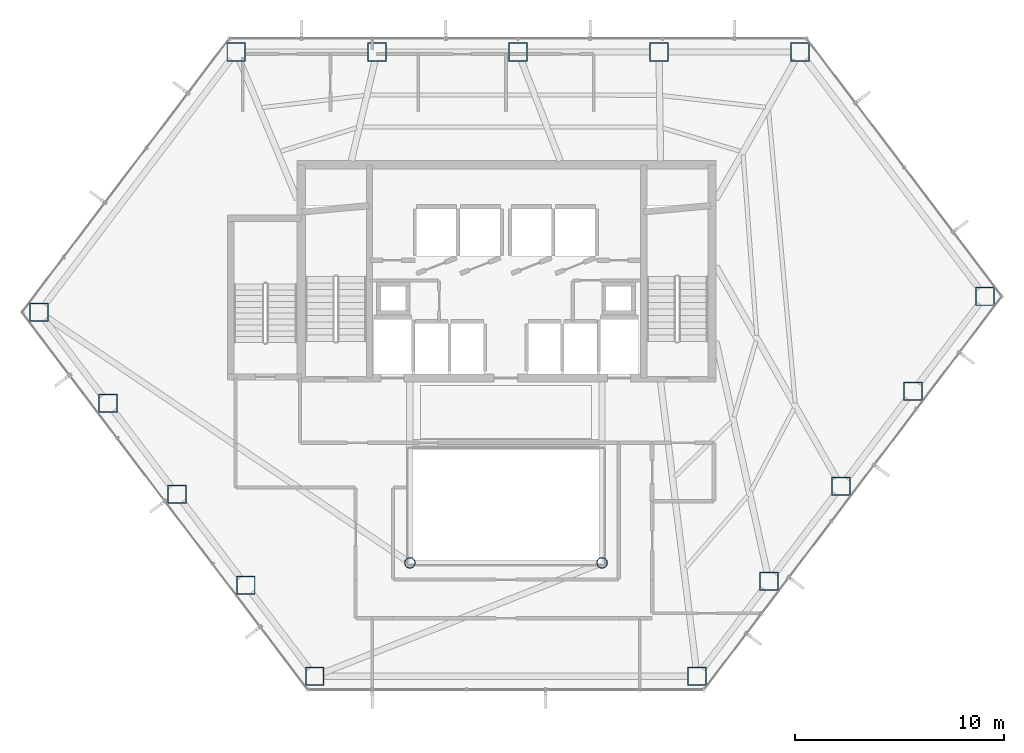
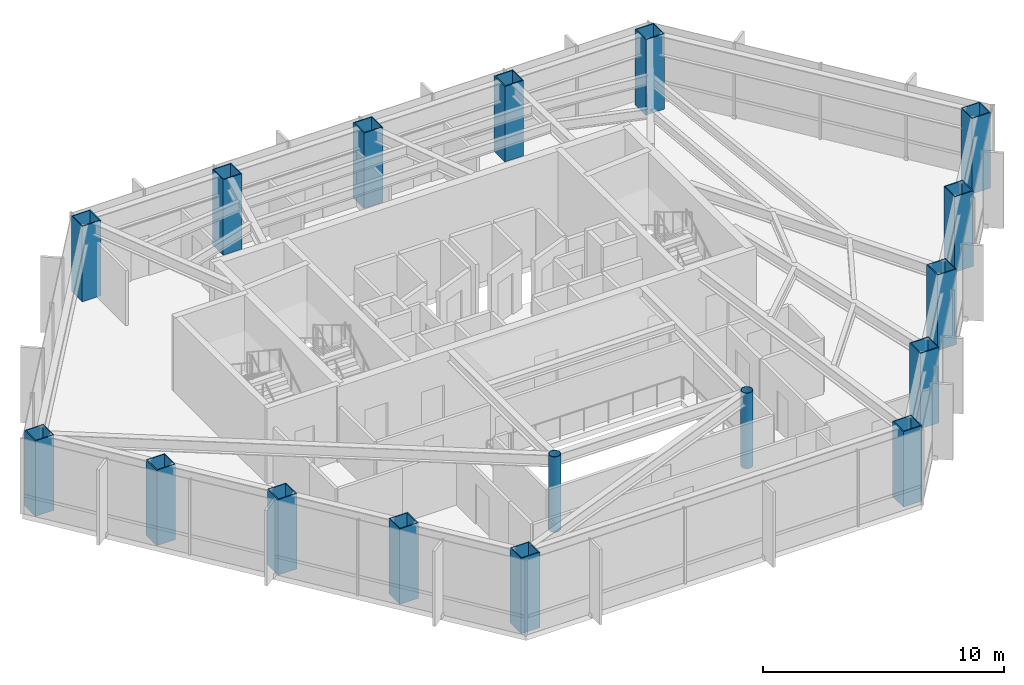
# One storey, part 1 of 24: 17 columns.
"""IFC4 building model written with IfcOpenShell, lengths in metres."""

from ifc_helpers import new_model, si_unit, direction, frame, origin, origin_2d, place, context, subcontext, project, spatial, hollow_rectangle, hollow_circle, extrude, material, material_profile, profile_set, type_object, element, save


model = new_model("IFC4")

# Units and contexts
model_context = context("Model", 3, precision=1e-05, world=origin(), true_north=direction((0.0, 1.0)))
body_context = subcontext(model_context, "Body", "Model", "MODEL_VIEW")
ifc_project = project(units=[si_unit("LENGTHUNIT", "METRE"), si_unit("AREAUNIT", "SQUARE_METRE"), si_unit("VOLUMEUNIT", "CUBIC_METRE"), si_unit("PLANEANGLEUNIT", "RADIAN"), si_unit("MASSUNIT", "GRAM", prefix="KILO")], contexts=[model_context])

# Site, building, storey
site_placement = place(None, origin())
site = spatial("IfcSite", under=ifc_project, at=site_placement, CompositionType="ELEMENT")
building_placement = place(site_placement, origin())
building = spatial("IfcBuilding", under=site, at=building_placement, Name="Zarrinselat Tower", CompositionType="ELEMENT")
storey_placement = place(building_placement, frame((0.0, 0.0, 100.97998046875)))
storey = spatial("IfcBuildingStorey", under=building, at=storey_placement, Name="L24", CompositionType="ELEMENT", Elevation=100.97998046875)

# Columns
ifc_material_1 = material(Name="Steel S355J2", Category="steel")
ifc_material_profile_1 = material_profile(ifc_material_1, hollow_circle(Radius=0.25390625, WallThickness=0.02001953125, at=origin_2d()), Name="CHS 508x20")
ifc_profile_set_1 = profile_set([ifc_material_profile_1], Name="Steel S355J2")
column_type_1 = type_object("IfcColumnType", Name="COL-CHS508", PredefinedType="COLUMN", material=ifc_profile_set_1)
for number, where, z_axis, x_axis, name in (
    (1, (33.800048828125, 24.39990234375, 0.0), (0.0, 0.0, 1.0), (1.0, 0.0, 0.0), "L24 Atrium Corner Column 1"),
    (2, (43.0, 24.39990234375, 0.0), (0.0, 0.0, 1.0), (1.0, 0.0, 0.0), "L24 Atrium Corner Column 2"),
):
    element("IfcColumn", number, at=place(storey_placement, frame(where, z_axis=z_axis, x_axis=x_axis)), inside=storey, type_object=column_type_1, Name=name, PredefinedType="COLUMN", context=body_context, shape_type="SweptSolid", body=[
        extrude(hollow_circle(Radius=0.25390625, WallThickness=0.02001953125, at=origin_2d()), origin(), (0.0, 0.0, 1.0), 3.820068359375),
    ])
ifc_material_2 = material(Name="Steel S460M", Category="steel")
ifc_material_profile_2 = material_profile(ifc_material_2, hollow_rectangle(XDim=0.89990234375, YDim=0.89990234375, WallThickness=0.044921875, at=origin_2d()), Name="SHS 900x900x45")
ifc_profile_set_2 = profile_set([ifc_material_profile_2], Name="Steel S460M")
column_type_2 = type_object("IfcColumnType", Name="COL-SHS900", PredefinedType="COLUMN", material=ifc_profile_set_2)
for number, where, z_axis, x_axis, name in (
    (3, (52.471435546875, 48.85009765625, 0.0), (0.0, 0.0, 1.0), (1.0, 0.0, 0.0), "L24 Framed-Tube Column T01"),
    (4, (45.725341796875, 48.85009765625, 0.0), (0.0, 0.0, 1.0), (1.0, 0.0, 0.0), "L24 Framed-Tube Column T02"),
    (5, (38.97900390625, 48.85009765625, 0.0), (0.0, 0.0, 1.0), (1.0, 0.0, 0.0), "L24 Framed-Tube Column T03"),
    (6, (32.23291015625, 48.85009765625, 0.0), (0.0, 0.0, 1.0), (1.0, 0.0, 0.0), "L24 Framed-Tube Column T04"),
    (7, (25.486572265625, 48.85009765625, 0.0), (0.0, 0.0, 1.0), (1.0, 0.0, 0.0), "L24 Framed-Tube Column T05"),
    (8, (16.052001953125, 36.39599609375, 0.0), (0.0, 0.0, 1.0), (1.0, 0.0, 0.0), "L24 Framed-Tube Column T06"),
    (9, (19.351318359375, 32.041015625, 0.0), (0.0, 0.0, 1.0), (1.0, 0.0, 0.0), "L24 Framed-Tube Column T07"),
    (10, (22.650390625, 27.685791015625, 0.0), (0.0, 0.0, 1.0), (1.0, 0.0, 0.0), "L24 Framed-Tube Column T08"),
    (11, (25.94970703125, 23.330810546875, 0.0), (0.0, 0.0, 1.0), (1.0, 0.0, 0.0), "L24 Framed-Tube Column T09"),
    (12, (29.2490234375, 18.9755859375, 0.0), (0.0, 0.0, 1.0), (1.0, 0.0, 0.0), "L24 Framed-Tube Column T10"),
    (13, (47.55078125, 18.9755859375, 0.0), (0.0, 0.0, 1.0), (1.0, 0.0, 0.0), "L24 Framed-Tube Column T11"),
    (14, (50.9951171875, 23.521728515625, 0.0), (0.0, 0.0, 1.0), (1.0, 0.0, 0.0), "L24 Framed-Tube Column T12"),
    (15, (54.43896484375, 28.068115234375, 0.0), (0.0, 0.0, 1.0), (1.0, 0.0, 0.0), "L24 Framed-Tube Column T13"),
    (16, (57.883056640625, 32.6142578125, 0.0), (0.0, 0.0, 1.0), (1.0, 0.0, 0.0), "L24 Framed-Tube Column T14"),
    (17, (61.3271484375, 37.160400390625, 0.0), (0.0, 0.0, 1.0), (1.0, 0.0, 0.0), "L24 Framed-Tube Column T15"),
):
    element("IfcColumn", number, at=place(storey_placement, frame(where, z_axis=z_axis, x_axis=x_axis)), inside=storey, type_object=column_type_2, Name=name, PredefinedType="COLUMN", context=body_context, shape_type="SweptSolid", body=[
        extrude(hollow_rectangle(XDim=0.89990234375, YDim=0.89990234375, WallThickness=0.044921875, at=origin_2d()), origin(), (0.0, 0.0, 1.0), 3.820068359375),
    ])

save(model, "model.ifc")
